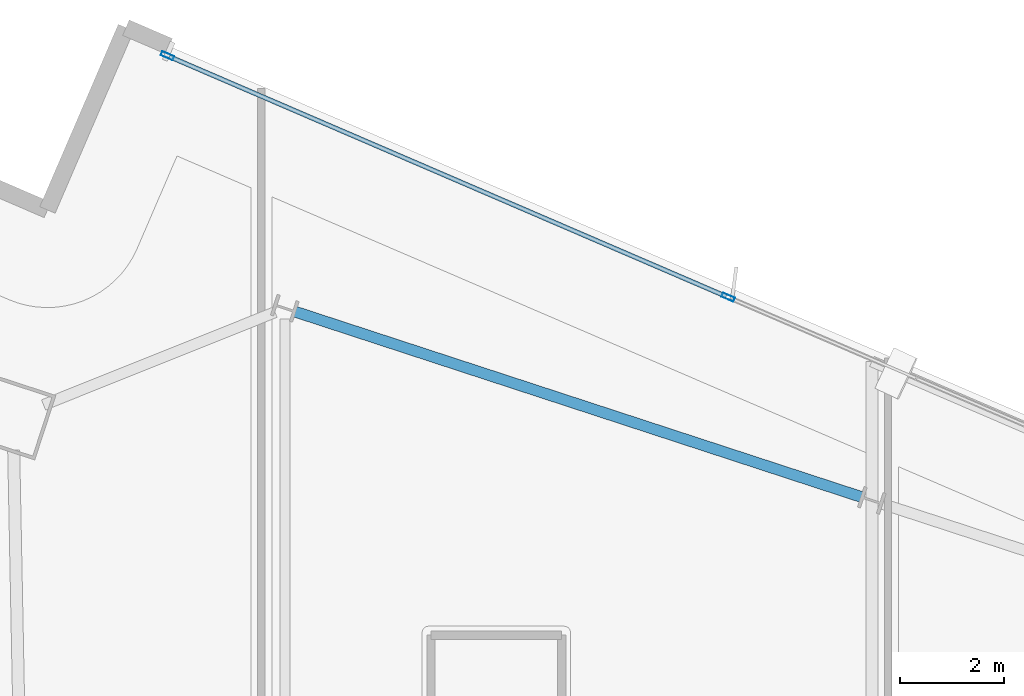
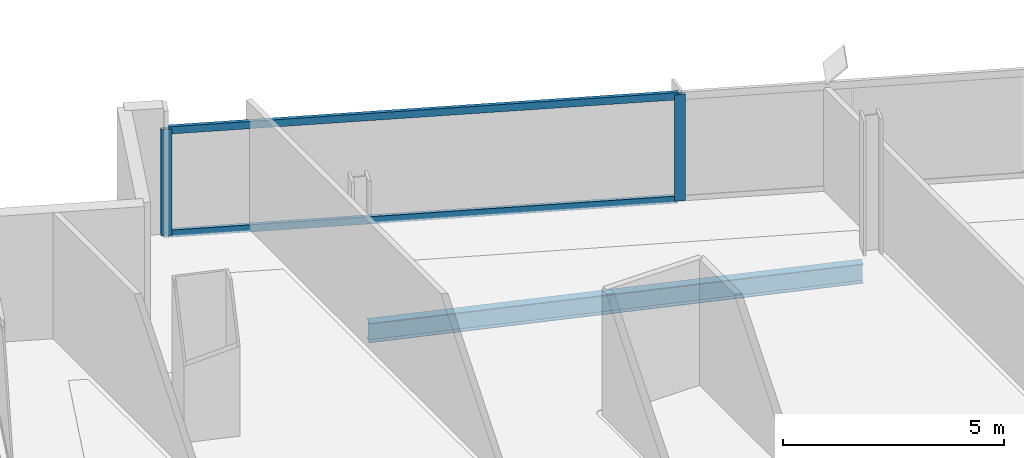
# One storey, part 15 of 28: 4 members, 1 beam, 1 element without a shape of its own.
"""IFC4 building model written with IfcOpenShell, lengths in metres."""

from ifc_helpers import new_model, si_unit, direction, frame, origin, origin_2d, place, context, subcontext, project, spatial, hollow_rectangle, i_section, extrude, material, material_profile, profile_set, type_object, element, aggregate, save


model = new_model("IFC4")

# Units and contexts
model_context = context("Model", 3, precision=1e-05, world=origin(), true_north=direction((0.0, 1.0)))
body_context = subcontext(model_context, "Body", "Model", "MODEL_VIEW")
ifc_project = project(units=[si_unit("LENGTHUNIT", "METRE"), si_unit("AREAUNIT", "SQUARE_METRE"), si_unit("VOLUMEUNIT", "CUBIC_METRE"), si_unit("PLANEANGLEUNIT", "RADIAN"), si_unit("MASSUNIT", "GRAM", prefix="KILO")], contexts=[model_context])

# Site, building, storey
site_placement = place(None, origin())
site = spatial("IfcSite", under=ifc_project, at=site_placement, CompositionType="ELEMENT")
building_placement = place(site_placement, origin())
building = spatial("IfcBuilding", under=site, at=building_placement, Name="Haldenkirk Collegiate Tower", CompositionType="ELEMENT")
storey_placement = place(building_placement, frame((0.0, 0.0, 252.449951171875)))
storey = spatial("IfcBuildingStorey", under=building, at=storey_placement, Name="L63", CompositionType="ELEMENT", Elevation=252.449951171875)

# Beam
ifc_material_1 = material(Name="Steel ASTM A992 Grade 50", Category="steel")
ifc_material_profile_1 = material_profile(ifc_material_1, i_section(OverallWidth=0.2099609375, OverallDepth=0.537109375, WebThickness=0.010986328125, FlangeThickness=0.017333984375, at=origin_2d()), Name="W21X68")
ifc_profile_set_1 = profile_set([ifc_material_profile_1], Name="Steel ASTM A992 Grade 50")
beam_type = type_object("IfcBeamType", Name="BM-SPANDREL-W21X68", PredefinedType="SPANDREL", material=ifc_profile_set_1)
beam_placement = place(storey_placement, frame((42.99755859375, 45.54296875, -0.538330078125), z_axis=(-0.950408846531, 0.311003254701, 0.0), x_axis=(-0.311003254701, -0.950408846531, 0.0)))
element("IfcBeam", 1, at=beam_placement, inside=storey, type_object=beam_type, Name="L63 perimeter spandrel beam 07", PredefinedType="SPANDREL", context=body_context, shape_type="SweptSolid", body=[
    extrude(i_section(OverallWidth=0.2099609375, OverallDepth=0.537109375, WebThickness=0.010986328125, FlangeThickness=0.017333984375, at=origin_2d()), origin(), (0.0, 0.0, 1.0), 11.421875),
])

# Curtain wall, members
ifc_material_2 = material(Name="Anodised architectural bronze aluminium", Category="aluminium")
curtain_wall_type = type_object("IfcCurtainWallType", Name="CW-SYS1B-CONVEX-HI", PredefinedType="USERDEFINED", material=ifc_material_2)
curtain_wall_placement = place(storey_placement, origin())
curtain_wall = element("IfcCurtainWall", 2, at=curtain_wall_placement, inside=storey, type_object=curtain_wall_type, Name="L63 Upper tower high-wind convex bronze unitised curtain wall", ObjectType="UNITISED CURTAIN WALL", PredefinedType="USERDEFINED")
ifc_material_profile_2 = material_profile(ifc_material_2, hollow_rectangle(XDim=0.0849609375, YDim=0.25, WallThickness=0.0048828125, at=origin_2d()), Name="CW-MUL-1B")
ifc_profile_set_2 = profile_set([ifc_material_profile_2], Name="Anodised architectural bronze aluminium")
member_type_1 = type_object("IfcMemberType", Name="CW-MUL-1B", PredefinedType="MULLION", material=ifc_profile_set_2)
member_1_placement = place(storey_placement, frame((29.701904296875, 53.994384765625, 0.0), z_axis=(0.0, 0.0, 1.0), x_axis=(0.395545592347, 0.918446342676, 0.0)))
member_1 = element("IfcMember", 3, at=member_1_placement, type_object=member_type_1, Name="CW-1B mullion 1", PredefinedType="MULLION", context=body_context, shape_type="SweptSolid", body=[
    extrude(hollow_rectangle(XDim=0.0849609375, YDim=0.25, WallThickness=0.0048828125, at=origin_2d()), origin(), (0.0, 0.0, 1.0), 2.93798828125),
])
member_2_placement = place(storey_placement, frame((40.439208984375, 49.3701171875, 0.0), z_axis=(0.0, 0.0, 1.0), x_axis=(0.395545592347, 0.918446342676, 0.0)))
member_2 = element("IfcMember", 4, at=member_2_placement, type_object=member_type_1, Name="CW-1B mullion 2", PredefinedType="MULLION", context=body_context, shape_type="SweptSolid", body=[
    extrude(hollow_rectangle(XDim=0.0849609375, YDim=0.25, WallThickness=0.0048828125, at=origin_2d()), origin(), (0.0, 0.0, 1.0), 2.93798828125),
])
ifc_material_profile_3 = material_profile(ifc_material_2, hollow_rectangle(XDim=0.0849609375, YDim=0.199951171875, WallThickness=0.0048828125, at=origin_2d()), Name="CW-TRN-1B")
ifc_profile_set_3 = profile_set([ifc_material_profile_3], Name="Anodised architectural bronze aluminium")
member_type_2 = type_object("IfcMemberType", Name="CW-TRN-1B", PredefinedType="USERDEFINED", material=ifc_profile_set_3)
member_3_placement = place(storey_placement, frame((29.740966796875, 53.9775390625, 0.04248046875), z_axis=(0.918446126172, -0.395546095062, 0.0), x_axis=(0.395546095062, 0.918446126172, 0.0)))
member_3 = element("IfcMember", 5, at=member_3_placement, type_object=member_type_2, Name="CW-1B transom 1.1", ObjectType="TRANSOM", PredefinedType="USERDEFINED", context=body_context, shape_type="SweptSolid", body=[
    extrude(hollow_rectangle(XDim=0.0849609375, YDim=0.199951171875, WallThickness=0.0048828125, at=origin_2d()), origin(), (0.0, 0.0, 1.0), 11.605712890625),
])
member_4_placement = place(storey_placement, frame((29.740966796875, 53.9775390625, 2.8955078125), z_axis=(0.918446126172, -0.395546095062, 0.0), x_axis=(0.395546095062, 0.918446126172, 0.0)))
member_4 = element("IfcMember", 6, at=member_4_placement, type_object=member_type_2, Name="CW-1B transom 1.2", ObjectType="TRANSOM", PredefinedType="USERDEFINED", context=body_context, shape_type="SweptSolid", body=[
    extrude(hollow_rectangle(XDim=0.0849609375, YDim=0.199951171875, WallThickness=0.0048828125, at=origin_2d()), origin(), (0.0, 0.0, 1.0), 11.605712890625),
])
aggregate(curtain_wall, [member_1, member_2, member_3, member_4])

save(model, "model.ifc")
